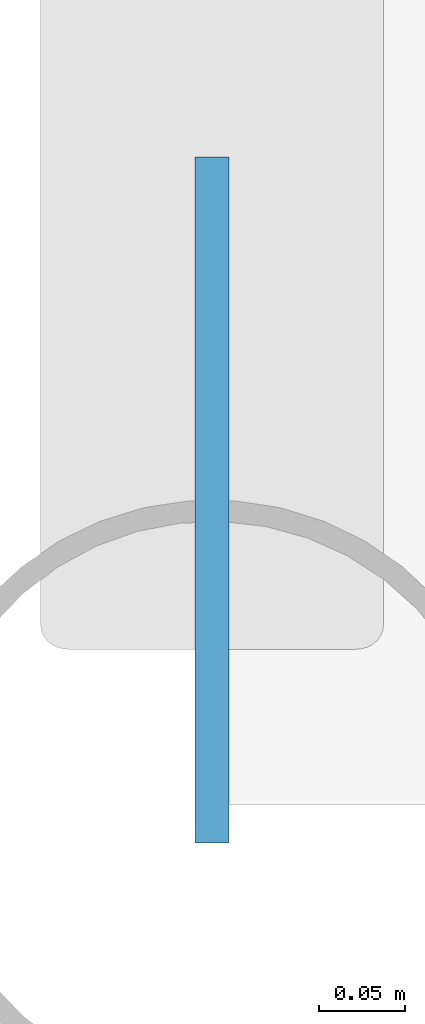
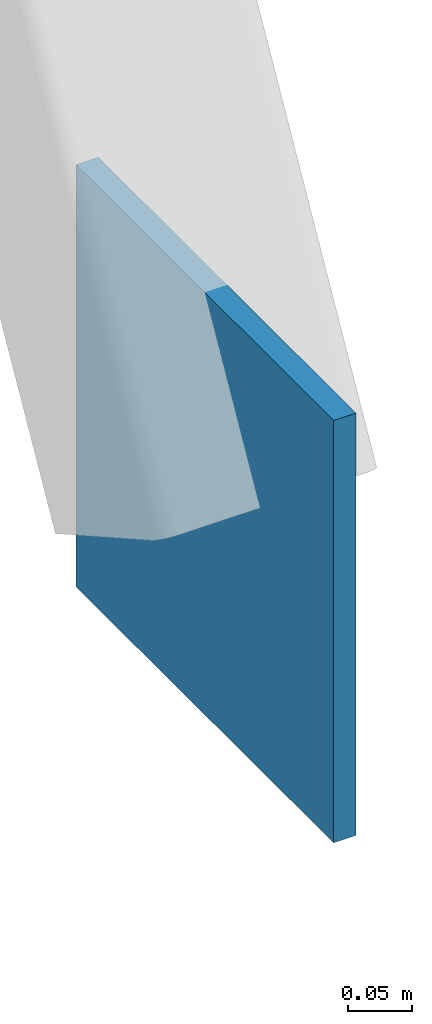
# One storey, part 143 of 170: 1 discrete accessory.
"""IFC4 building model written with IfcOpenShell, lengths in metres."""

from ifc_helpers import new_model, si_unit, direction, frame, origin, origin_2d, place, context, subcontext, project, spatial, rectangle, extrude, material, material_profile, profile_set, type_object, element, save


model = new_model("IFC4")

# Units and contexts
model_context = context("Model", 3, precision=1e-05, world=origin(), true_north=direction((0.0, 1.0)))
body_context = subcontext(model_context, "Body", "Model", "MODEL_VIEW")
ifc_project = project(units=[si_unit("LENGTHUNIT", "METRE"), si_unit("AREAUNIT", "SQUARE_METRE"), si_unit("VOLUMEUNIT", "CUBIC_METRE"), si_unit("PLANEANGLEUNIT", "RADIAN"), si_unit("MASSUNIT", "GRAM", prefix="KILO")], contexts=[model_context])

# Site, building, storey
site_placement = place(None, origin())
site = spatial("IfcSite", under=ifc_project, at=site_placement, CompositionType="ELEMENT")
building_placement = place(site_placement, origin())
building = spatial("IfcBuilding", under=site, at=building_placement, Name="Ravi Spectrum Wholesale Market", CompositionType="ELEMENT")
storey_placement = place(building_placement, frame((0.0, 0.0, 5.39990234375)))
storey = spatial("IfcBuildingStorey", under=building, at=storey_placement, Name="L01", CompositionType="ELEMENT", Elevation=5.39990234375)

# Discrete accessory
ifc_material = material(Name="Steel S355", Category="steel")
ifc_material_profile = material_profile(ifc_material, rectangle(XDim=0.39990234375, YDim=0.02001953125, at=origin_2d()))
ifc_profile_set = profile_set([ifc_material_profile], Name="Steel S355")
discrete_accessory_type = type_object("IfcDiscreteAccessoryType", Name="Gusset plate 400x400x20", PredefinedType="BRACKET", material=ifc_profile_set)
discrete_accessory_placement = place(storey_placement, frame((198.0, 138.177734375, -5.550537109375), z_axis=(0.0, 0.0, 1.0), x_axis=(0.0, 1.0, 0.0)))
element("IfcDiscreteAccessory", 1, at=discrete_accessory_placement, inside=storey, type_object=discrete_accessory_type, Name="Gusset plate", PredefinedType="BRACKET", context=body_context, shape_type="SweptSolid", body=[
    extrude(rectangle(XDim=0.39990234375, YDim=0.02001953125, at=origin_2d()), origin(), (0.0, 0.0, 1.0), 0.400146484375),
])

save(model, "model.ifc")
